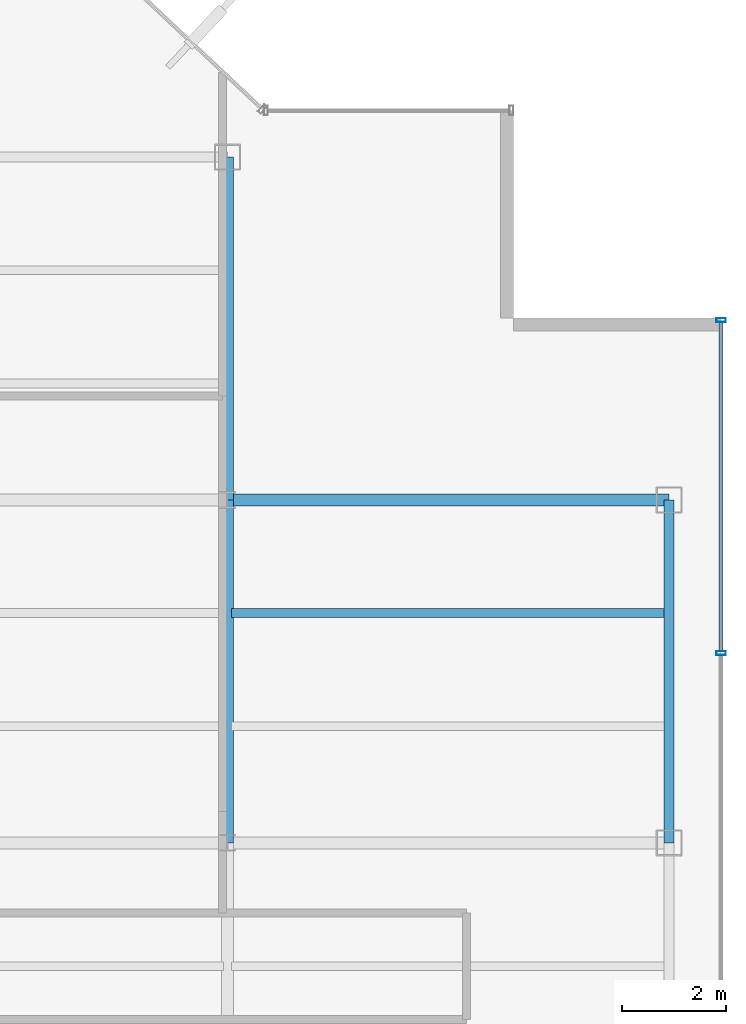
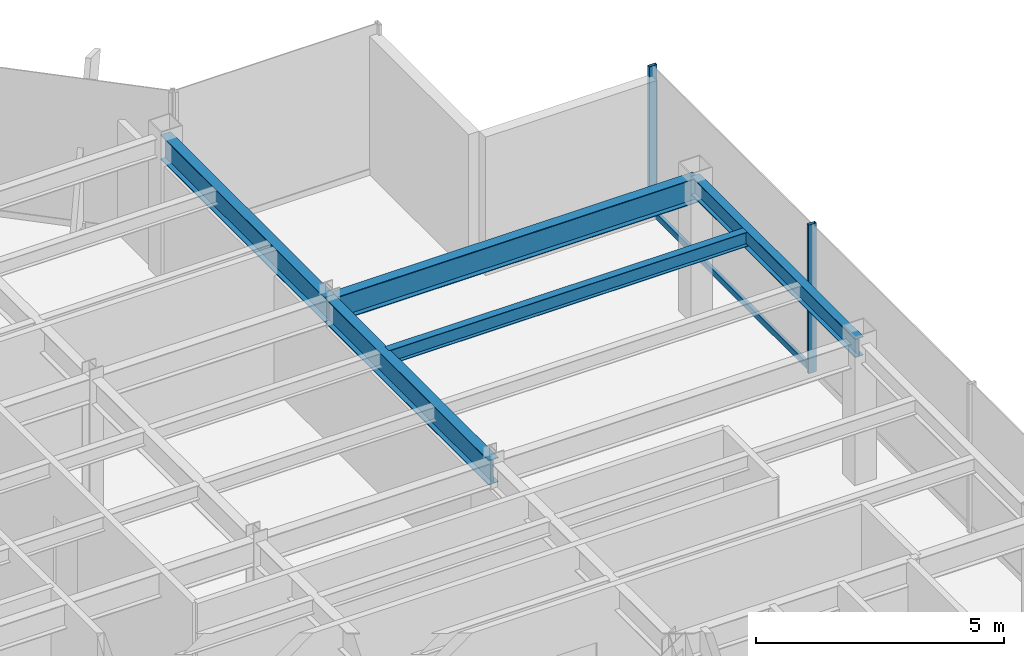
# One storey, part 11 of 22: 5 beams, 3 members, 1 element without a shape of its own.
"""IFC4 building model written with IfcOpenShell, lengths in metres."""

import ifcopenshell
import ifcopenshell.guid

model = None  # the IFC model being written
_history = None  # IfcOwnerHistory: only IFC2X3 demands one
_inside = {}  # id of a spatial element -> (the spatial element, [elements in it])
_under = {}  # id of a project, library or spatial element -> (it, [spatial elements below it])
_declared = {}  # id of a project -> (the project, [libraries it declares])
_typed = {}  # id of a type object -> (the type object, [elements of that type])
_made_of = {}  # id of a material, layer set ... -> (it, [elements and type objects made of it])


def new_model(schema):
    """Start an empty IFC model of exactly this schema.

    Asked for "IFC4X3", IfcOpenShell would pick the latest addendum, in which some entities
    have other attributes; the version numbers below select the first issue.
    IFC2X3 requires an IfcOwnerHistory on every rooted entity: one is made here for all.
    """
    global model, _history
    if schema == "IFC4X3":
        model = ifcopenshell.file(schema_version=(4, 3, 0, 0))
    else:
        model = ifcopenshell.file(schema=schema)
    _inside.clear()
    _under.clear()
    _declared.clear()
    _typed.clear()
    _made_of.clear()
    _history = None
    if model.schema == "IFC2X3":
        org = make("IfcOrganization", Name="unknown")
        user = make(
            "IfcPersonAndOrganization",
            ThePerson=make("IfcPerson", FamilyName="unknown"),
            TheOrganization=org,
        )
        app = make(
            "IfcApplication",
            ApplicationDeveloper=org,
            Version="unknown",
            ApplicationFullName="unknown",
            ApplicationIdentifier="unknown",
        )
        _history = make(
            "IfcOwnerHistory",
            OwningUser=user,
            OwningApplication=app,
            ChangeAction="ADDED",
            CreationDate=0,
        )
    return model


def make(cls, **values):
    """One entity of the class cls with the attributes given. An attribute that is None is left unset."""
    return model.create_entity(
        cls, **{name: value for name, value in values.items() if value is not None}
    )


def rooted(cls, **values):
    """An entity with a GlobalId (a new one), such as an element, a storey or a relation."""
    return make(cls, GlobalId=ifcopenshell.guid.new(), OwnerHistory=_history, **values)


def si_unit(unit_type, name, prefix=None):
    """IfcSIUnit, for example si_unit("LENGTHUNIT", "METRE", prefix="MILLI")."""
    return make("IfcSIUnit", UnitType=unit_type, Prefix=prefix, Name=name)


def derived_unit(unit_type, elements):
    """IfcDerivedUnit: a product of units, each with its exponent."""
    return make(
        "IfcDerivedUnit",
        Elements=[
            make("IfcDerivedUnitElement", Unit=unit, Exponent=power)
            for unit, power in elements
        ],
        UnitType=unit_type,
    )


def assignment(units):
    """IfcUnitAssignment: the units of a project."""
    return None if units is None else make("IfcUnitAssignment", Units=units)


def point(xyz):
    """IfcCartesianPoint."""
    return None if xyz is None else make("IfcCartesianPoint", Coordinates=xyz)


def direction(xyz):
    """IfcDirection."""
    return None if xyz is None else make("IfcDirection", DirectionRatios=xyz)


def frame(location, z_axis=None, x_axis=None):
    """IfcAxis2Placement3D, a coordinate frame: its origin and axes. An axis left out is left unset."""
    return make(
        "IfcAxis2Placement3D",
        Location=point(location),
        Axis=direction(z_axis),
        RefDirection=direction(x_axis),
    )


def frame_2d(location, x_axis=None):
    """IfcAxis2Placement2D, a coordinate frame in the plane: its origin and x axis."""
    return make(
        "IfcAxis2Placement2D", Location=point(location), RefDirection=direction(x_axis)
    )


def origin():
    """The frame at (0, 0, 0) with its axes left unset."""
    return frame((0.0, 0.0, 0.0))


def origin_2d():
    """The frame at (0, 0) in the plane with its x axis left unset."""
    return frame_2d((0.0, 0.0))


def place(relative_to, where):
    """IfcLocalPlacement: puts the frame where relative to a parent placement (None: the world)."""
    return make(
        "IfcLocalPlacement", PlacementRelTo=relative_to, RelativePlacement=where
    )


def context(
    kind, dimensions, precision=None, world=None, true_north=None, identifier=None
):
    """IfcGeometricRepresentationContext, for example the 3D "Model" context."""
    return make(
        "IfcGeometricRepresentationContext",
        ContextIdentifier=identifier,
        ContextType=kind,
        CoordinateSpaceDimension=dimensions,
        Precision=precision,
        WorldCoordinateSystem=world,
        TrueNorth=true_north,
    )


def subcontext(parent, identifier, kind, view, scale=None):
    """IfcGeometricRepresentationSubContext, for example "Body" below "Model"."""
    return make(
        "IfcGeometricRepresentationSubContext",
        ContextIdentifier=identifier,
        ContextType=kind,
        ParentContext=parent,
        TargetScale=scale,
        TargetView=view,
    )


def project(units=None, contexts=None):
    """IfcProject with its units and contexts."""
    return rooted(
        "IfcProject",
        Name="project",
        RepresentationContexts=contexts,
        UnitsInContext=assignment(units),
    )


def spatial(cls, under=None, at=None, **own):
    """A site, building, storey or space (cls), placed at a placement, below another one or the project."""
    s = rooted(cls, ObjectPlacement=at, **own)
    if under is not None:
        _under.setdefault(under.id(), (under, []))[1].append(s)
    return s


def profile(cls, at=None, kind="AREA", **sizes):
    """A parametric profile (cls). Its sizes go by their IFC names, for example OverallWidth=200.0."""
    return make(cls, ProfileType=kind, Position=at, **sizes)


def hollow_rectangle(**sizes):
    """IfcRectangleHollowProfileDef."""
    return profile("IfcRectangleHollowProfileDef", **sizes)


def i_section(**sizes):
    """IfcIShapeProfileDef."""
    return profile("IfcIShapeProfileDef", **sizes)


def extrude(swept, where, along, depth):
    """IfcExtrudedAreaSolid: the profile swept, set in the frame where, extruded along a direction by depth."""
    return make(
        "IfcExtrudedAreaSolid",
        SweptArea=swept,
        Position=where,
        ExtrudedDirection=direction(along),
        Depth=depth,
    )


def shape(context_of_items, identifier, shape_type, items):
    """IfcShapeRepresentation: the items that make up one representation, for example the "Body"."""
    return make(
        "IfcShapeRepresentation",
        ContextOfItems=context_of_items,
        RepresentationIdentifier=identifier,
        RepresentationType=shape_type,
        Items=items,
    )


def source(mapping_origin, context_of_items, identifier, shape_type, items):
    """IfcRepresentationMap: a shape defined once, which mapped items show again and again."""
    return make(
        "IfcRepresentationMap",
        MappingOrigin=mapping_origin,
        MappedRepresentation=shape(context_of_items, identifier, shape_type, items),
    )


def transform(
    local_origin,
    x_axis=None,
    y_axis=None,
    z_axis=None,
    scale=None,
    scale2=None,
    scale3=None,
    uniform=True,
):
    """IfcCartesianTransformationOperator3D, or its non-uniform kind. x_axis, y_axis, z_axis: its Axis1, 2, 3."""
    if uniform:
        return make(
            "IfcCartesianTransformationOperator3D",
            Axis1=direction(x_axis),
            Axis2=direction(y_axis),
            LocalOrigin=point(local_origin),
            Scale=scale,
            Axis3=direction(z_axis),
        )
    return make(
        "IfcCartesianTransformationOperator3DnonUniform",
        Axis1=direction(x_axis),
        Axis2=direction(y_axis),
        LocalOrigin=point(local_origin),
        Scale=scale,
        Axis3=direction(z_axis),
        Scale2=scale2,
        Scale3=scale3,
    )


def mapped(mapping_source, mapping_target):
    """IfcMappedItem: shows the shape of a source again, moved by a transform."""
    return make(
        "IfcMappedItem", MappingSource=mapping_source, MappingTarget=mapping_target
    )


def material(Name=None, Category=None):
    """IfcMaterial."""
    return make("IfcMaterial", Name=Name, Category=Category)


def material_profile(
    of_material, cross_section, Name=None, Category=None, Priority=None
):
    """IfcMaterialProfile: a cross section and its material."""
    return make(
        "IfcMaterialProfile",
        Name=Name,
        Material=of_material,
        Profile=cross_section,
        Priority=Priority,
        Category=Category,
    )


def profile_set(profiles, Name=None, composite=None):
    """IfcMaterialProfileSet."""
    return make(
        "IfcMaterialProfileSet",
        Name=Name,
        MaterialProfiles=profiles,
        CompositeProfile=composite,
    )


def made_of(thing, what):
    """Note that an element or type object is made of a material, layer set ...; save() writes the relation."""
    if what is not None:
        _made_of.setdefault(what.id(), (what, []))[1].append(thing)
    return thing


def type_object(cls, material=None, **own):
    """A type object (cls), such as IfcWallType, which elements share."""
    return made_of(rooted(cls, **own), material)


def element(
    cls,
    number,
    at=None,
    inside=None,
    cuts=None,
    type_object=None,
    material=None,
    context=None,
    identifier="Body",
    shape_type=None,
    held_by="IfcProductDefinitionShape",
    body=None,
    shapes=None,
    **own,
):
    """One element of the class cls, such as IfcWall. Its Tag is "e" and its number.

    at: its placement. inside: the storey or other place that contains it. cuts: it is an
    opening in that element (IfcRelVoidsElement). A single representation is given by context,
    identifier, shape_type and body (its items); several are given by shapes. held_by: the class
    of the entity that holds the representations. save() writes the other relations.
    """
    e = rooted(cls, Tag="e%d" % number, ObjectPlacement=at, **own)
    if body is not None:
        shapes = [shape(context, identifier, shape_type, body)]
    if shapes is not None:
        e.Representation = make(held_by, Representations=shapes)
    if inside is not None:
        _inside.setdefault(inside.id(), (inside, []))[1].append(e)
    if cuts is not None:
        rooted(
            "IfcRelVoidsElement", RelatingBuildingElement=cuts, RelatedOpeningElement=e
        )
    if type_object is not None:
        _typed.setdefault(type_object.id(), (type_object, []))[1].append(e)
    return made_of(e, material)


def aggregate(whole, parts):
    """IfcRelAggregates: a whole, such as a stair, and the parts it consists of."""
    return rooted("IfcRelAggregates", RelatingObject=whole, RelatedObjects=parts)


def save(model, path):
    """Write the relations noted so far, then the file.

    IfcRelAggregates (storeys below a building ...), IfcRelContainedInSpatialStructure (elements
    in a storey), IfcRelDefinesByType, IfcRelAssociatesMaterial and IfcRelDeclares: one each for
    every whole, place, type object, material and project.
    """
    for whole, parts in _under.values():
        aggregate(whole, parts)
    for where, things in _inside.values():
        rooted(
            "IfcRelContainedInSpatialStructure",
            RelatedElements=things,
            RelatingStructure=where,
        )
    for kind, things in _typed.values():
        rooted("IfcRelDefinesByType", RelatedObjects=things, RelatingType=kind)
    for what, things in _made_of.values():
        rooted("IfcRelAssociatesMaterial", RelatedObjects=things, RelatingMaterial=what)
    for by, libraries in _declared.values():
        rooted("IfcRelDeclares", RelatingContext=by, RelatedDefinitions=libraries)
    model.write(path)


model = new_model("IFC4")

# Units and contexts
model_context = context("Model", 3, precision=1e-05, world=origin(), true_north=direction((0.0, 1.0)))
body_context = subcontext(model_context, "Body", "Model", "MODEL_VIEW")
ifc_project = project(units=[si_unit("LENGTHUNIT", "METRE"), si_unit("AREAUNIT", "SQUARE_METRE"), si_unit("VOLUMEUNIT", "CUBIC_METRE"), si_unit("PLANEANGLEUNIT", "RADIAN"), si_unit("MASSUNIT", "GRAM", prefix="KILO"), derived_unit("THERMALTRANSMITTANCEUNIT", [(si_unit("POWERUNIT", "WATT"), 1), (si_unit("LENGTHUNIT", "METRE"), -2), (si_unit("THERMODYNAMICTEMPERATUREUNIT", "KELVIN"), -1)])], contexts=[model_context])

# Site, building, storey
site_placement = place(None, origin())
site = spatial("IfcSite", under=ifc_project, at=site_placement, CompositionType="ELEMENT")
building_placement = place(site_placement, origin())
building = spatial("IfcBuilding", under=site, at=building_placement, Name="Skarnbrae Concourse Arena and Tower", CompositionType="ELEMENT")
storey_placement = place(building_placement, frame((0.0, 0.0, 195.89990234375)))
storey = spatial("IfcBuildingStorey", under=building, at=storey_placement, Name="L50", CompositionType="ELEMENT", Elevation=195.89990234375)

# Beams
ifc_material_1 = material(Name="Steel CSA G40.21 350W", Category="steel")
ifc_material_profile_1 = material_profile(ifc_material_1, i_section(OverallWidth=0.22802734375, OverallDepth=0.60791015625, WebThickness=0.01123046875, FlangeThickness=0.017333984375, at=origin_2d()), Name="W610X113")
ifc_profile_set_1 = profile_set([ifc_material_profile_1], Name="Steel CSA G40.21 350W")
beam_type_1 = type_object("IfcBeamType", Name="BM-GIRD-W610X113", PredefinedType="BEAM", material=ifc_profile_set_1)
shared_shape_1 = source(origin(), body_context, "Body", "SweptSolid", [
    extrude(i_section(OverallWidth=0.22802734375, OverallDepth=0.60791015625, WebThickness=0.01123046875, FlangeThickness=0.017333984375, at=origin_2d()), origin(), (0.0, 0.0, 1.0), 6.60009765625),
])
beam_1_placement = place(storey_placement, frame((33.5, 21.199951171875, 3.09619140625), z_axis=(0.0, 1.0, 0.0), x_axis=(-1.0, 0.0, 0.0)))
element("IfcBeam", 1, at=beam_1_placement, inside=storey, type_object=beam_type_1, Name="L50 Primary N-S girder X33.5-2", PredefinedType="BEAM", context=body_context, shape_type="MappedRepresentation", body=[
    mapped(shared_shape_1, transform((0.0, 0.0, 0.0))),
])
shared_shape_2 = source(origin(), body_context, "Body", "SweptSolid", [
    extrude(i_section(OverallWidth=0.22802734375, OverallDepth=0.60791015625, WebThickness=0.01123046875, FlangeThickness=0.017333984375, at=origin_2d()), origin(), (0.0, 0.0, 1.0), 8.5),
])
beam_2_placement = place(storey_placement, frame((33.5, 27.800048828125, 3.09619140625), z_axis=(1.0, 0.0, 0.0), x_axis=(0.0, 1.0, 0.0)))
element("IfcBeam", 2, at=beam_2_placement, inside=storey, type_object=beam_type_1, Name="L50 Primary E-W girder Y27.8-6", PredefinedType="BEAM", context=body_context, shape_type="MappedRepresentation", body=[
    mapped(shared_shape_2, transform((0.0, 0.0, 0.0))),
])
ifc_material_profile_2 = material_profile(ifc_material_1, i_section(OverallWidth=0.19091796875, OverallDepth=0.4599609375, WebThickness=0.010009765625, FlangeThickness=0.01611328125, at=origin_2d()), Name="W460X82")
ifc_profile_set_2 = profile_set([ifc_material_profile_2], Name="Steel CSA G40.21 350W")
beam_type_2 = type_object("IfcBeamType", Name="BM-SPAN-W460X82", PredefinedType="SPANDREL", material=ifc_profile_set_2)
shared_shape_3 = source(origin(), body_context, "Body", "SweptSolid", [
    extrude(i_section(OverallWidth=0.19091796875, OverallDepth=0.4599609375, WebThickness=0.010009765625, FlangeThickness=0.01611328125, at=origin_2d()), origin(), (0.0, 0.0, 1.0), 6.60009765625),
])
beam_3_placement = place(storey_placement, frame((42.0, 21.199951171875, 3.170166015625), z_axis=(0.0, 1.0, 0.0), x_axis=(-1.0, 0.0, 0.0)))
element("IfcBeam", 3, at=beam_3_placement, inside=storey, type_object=beam_type_2, Name="L50 Perimeter spandrel X42.0-3", PredefinedType="SPANDREL", context=body_context, shape_type="MappedRepresentation", body=[
    mapped(shared_shape_3, transform((0.0, 0.0, 0.0))),
])
shared_shape_4 = source(origin(), body_context, "Body", "SweptSolid", [
    extrude(i_section(OverallWidth=0.22802734375, OverallDepth=0.60791015625, WebThickness=0.01123046875, FlangeThickness=0.017333984375, at=origin_2d()), origin(), (0.0, 0.0, 1.0), 6.599853515625),
])
beam_4_placement = place(storey_placement, frame((33.5, 27.800048828125, 3.09619140625), z_axis=(0.0, 1.0, 0.0), x_axis=(-1.0, 0.0, 0.0)))
element("IfcBeam", 4, at=beam_4_placement, inside=storey, type_object=beam_type_1, Name="L50 Primary N-S girder X33.5-3", PredefinedType="BEAM", context=body_context, shape_type="MappedRepresentation", body=[
    mapped(shared_shape_4, transform((0.0, 0.0, 0.0))),
])
ifc_material_profile_3 = material_profile(ifc_material_1, i_section(OverallWidth=0.1708984375, OverallDepth=0.35498046875, WebThickness=0.007080078125, FlangeThickness=0.01171875, at=origin_2d()), Name="W360X51")
ifc_profile_set_3 = profile_set([ifc_material_profile_3], Name="Steel CSA G40.21 350W")
beam_type_3 = type_object("IfcBeamType", Name="BM-JOIST-W360X51", PredefinedType="JOIST", material=ifc_profile_set_3)
shared_shape_5 = source(origin(), body_context, "Body", "SweptSolid", [
    extrude(i_section(OverallWidth=0.1708984375, OverallDepth=0.35498046875, WebThickness=0.007080078125, FlangeThickness=0.01171875, at=origin_2d()), origin(), (0.0, 0.0, 1.0), 8.33984375),
])
beam_5_placement = place(storey_placement, frame((33.580078125, 25.6220703125, 3.22265625), z_axis=(1.0, 0.0, 0.0), x_axis=(0.0, 1.0, 0.0)))
element("IfcBeam", 5, at=beam_5_placement, inside=storey, type_object=beam_type_3, Name="L50 Secondary floor joist 2.2.6", PredefinedType="JOIST", context=body_context, shape_type="MappedRepresentation", body=[
    mapped(shared_shape_5, transform((0.0, 0.0, 0.0))),
])

# Curtain wall, members
ifc_material_2 = material(Name="Bronze anodised aluminium 6063-T6", Category="aluminium")
curtain_wall_type = type_object("IfcCurtainWallType", Name="CW-SYS-05-HIGHZONE", PredefinedType="USERDEFINED", material=ifc_material_2)
curtain_wall_placement = place(storey_placement, origin())
curtain_wall = element("IfcCurtainWall", 6, at=curtain_wall_placement, inside=storey, type_object=curtain_wall_type, Name="L50 Unitised curtain wall CW-L50-E04", ObjectType="UNITISED CURTAIN WALL", PredefinedType="USERDEFINED")
ifc_material_profile_4 = material_profile(ifc_material_2, hollow_rectangle(XDim=0.074951171875, YDim=0.14990234375, WallThickness=0.00390625, at=origin_2d()), Name="ALU-TRAN-75X150")
ifc_profile_set_4 = profile_set([ifc_material_profile_4], Name="Bronze anodised aluminium 6063-T6")
member_type_1 = type_object("IfcMemberType", Name="CWT-CW-05", PredefinedType="USERDEFINED", material=ifc_profile_set_4)
shared_shape_6 = source(origin(), body_context, "Body", "SweptSolid", [
    extrude(hollow_rectangle(XDim=0.074951171875, YDim=0.14990234375, WallThickness=0.00390625, at=origin_2d()), origin(), (0.0, 0.0, 1.0), 6.337646484375),
])
member_1_placement = place(storey_placement, frame((43.0, 24.887451171875, 0.0751953125), z_axis=(0.0, 1.0, 0.0), x_axis=(-1.0, 0.0, 0.0)))
member_1 = element("IfcMember", 7, at=member_1_placement, type_object=member_type_1, Name="CW-L50-E04 Transom 4", ObjectType="TRANSOM", PredefinedType="USERDEFINED", context=body_context, shape_type="MappedRepresentation", body=[
    mapped(shared_shape_6, transform((0.0, 0.0, 0.0))),
])
ifc_material_profile_5 = material_profile(ifc_material_2, hollow_rectangle(XDim=0.074951171875, YDim=0.179931640625, WallThickness=0.00390625, at=origin_2d()), Name="ALU-MULL-75X180")
ifc_profile_set_5 = profile_set([ifc_material_profile_5], Name="Bronze anodised aluminium 6063-T6")
member_type_2 = type_object("IfcMemberType", Name="CWM-CW-05", PredefinedType="MULLION", material=ifc_profile_set_5)
shared_shape_7 = source(origin(), body_context, "Body", "SweptSolid", [
    extrude(hollow_rectangle(XDim=0.074951171875, YDim=0.179931640625, WallThickness=0.00390625, at=origin_2d()), origin(), (0.0, 0.0, 1.0), 3.650146484375),
])
member_2_placement = place(storey_placement, frame((43.0, 24.85009765625, 0.0), z_axis=(0.0, 0.0, 1.0), x_axis=(0.0, 1.0, 0.0)))
member_2 = element("IfcMember", 8, at=member_2_placement, type_object=member_type_2, Name="CW-L50-E04 Mullion 4", PredefinedType="MULLION", context=body_context, shape_type="MappedRepresentation", body=[
    mapped(shared_shape_7, transform((0.0, 0.0, 0.0))),
])
member_3_placement = place(storey_placement, frame((43.0, 31.262451171875, 0.0), z_axis=(0.0, 0.0, 1.0), x_axis=(0.0, 1.0, 0.0)))
member_3 = element("IfcMember", 9, at=member_3_placement, type_object=member_type_2, Name="CW-L50-E04 Mullion 5", PredefinedType="MULLION", context=body_context, shape_type="MappedRepresentation", body=[
    mapped(shared_shape_7, transform((0.0, 0.0, 0.0))),
])
aggregate(curtain_wall, [member_2, member_3, member_1])

save(model, "model.ifc")
